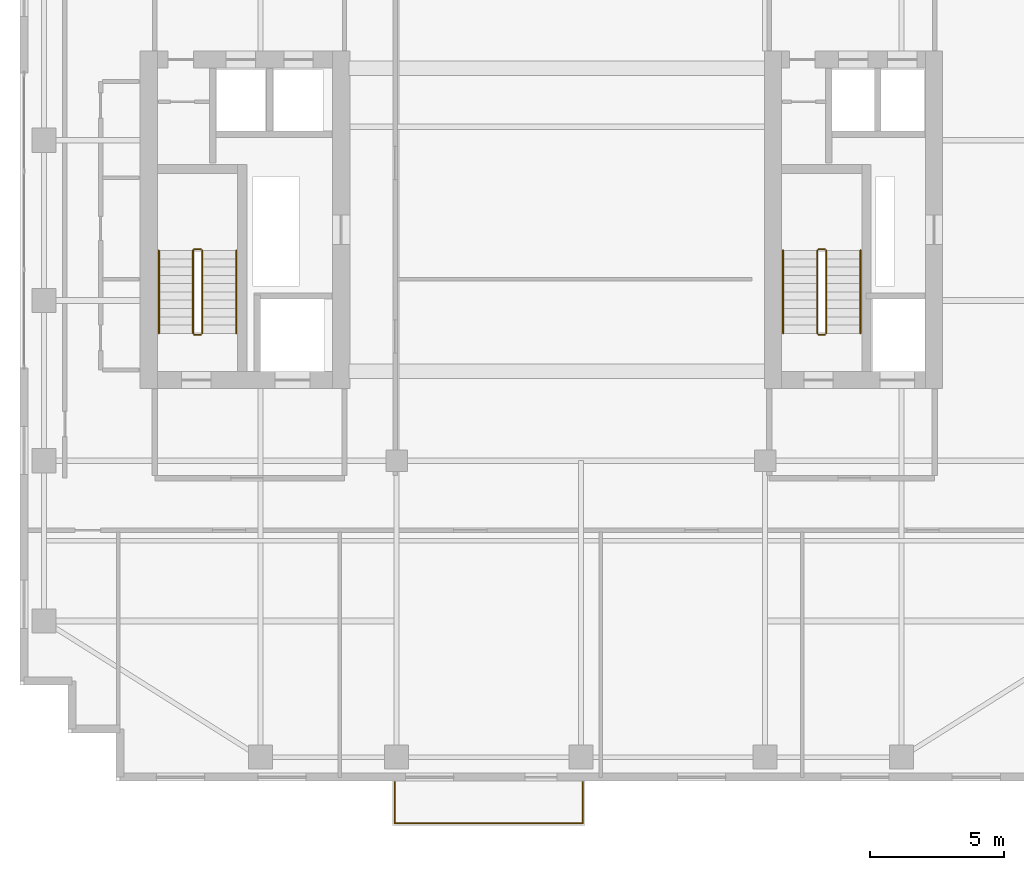
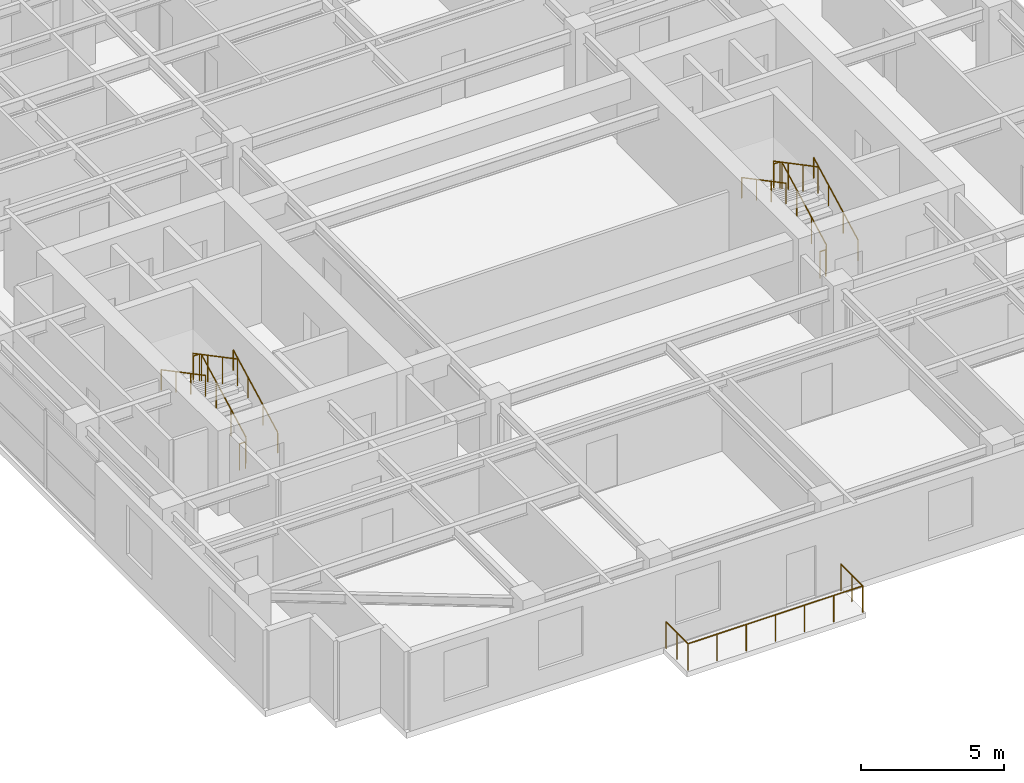
# One storey, part 13 of 14: 13 railings.
"""IFC4 building model written with IfcOpenShell, lengths in metres."""

from ifc_helpers import new_model, si_unit, direction, frame, origin, origin_2d, place, context, subcontext, project, spatial, circle, extrude, material, type_object, element, save


model = new_model("IFC4")

# Units and contexts
model_context = context("Model", 3, precision=1e-05, world=origin(), true_north=direction((0.0, 1.0)))
body_context = subcontext(model_context, "Body", "Model", "MODEL_VIEW")
ifc_project = project(units=[si_unit("LENGTHUNIT", "METRE"), si_unit("AREAUNIT", "SQUARE_METRE"), si_unit("VOLUMEUNIT", "CUBIC_METRE"), si_unit("PLANEANGLEUNIT", "RADIAN"), si_unit("MASSUNIT", "GRAM", prefix="KILO")], contexts=[model_context])

# Site, building, storey
site_placement = place(None, origin())
site = spatial("IfcSite", under=ifc_project, at=site_placement, CompositionType="ELEMENT")
building_placement = place(site_placement, origin())
building = spatial("IfcBuilding", under=site, at=building_placement, Name="Khoralis Quay Care Tower", CompositionType="ELEMENT")
storey_placement = place(building_placement, frame((0.0, 0.0, 177.300048828125)))
storey = spatial("IfcBuildingStorey", under=building, at=storey_placement, Name="L46", CompositionType="ELEMENT", Elevation=177.300048828125)

# Railings
ifc_material_1 = material(Name="Pale anodised aluminium", Category="aluminium")
railing_type_1 = type_object("IfcRailingType", Name="RL-BALUST-1150", PredefinedType="BALUSTRADE", material=ifc_material_1)
railing_1_placement = place(storey_placement, frame((17.030029296875, -0.0400390625, -0.0400390625)))
element("IfcRailing", 1, at=railing_1_placement, inside=storey, type_object=railing_type_1, Name="L46 Senior Loggia Balcony Guard", PredefinedType="BALUSTRADE", context=body_context, shape_type="SweptSolid", body=[
    extrude(circle(Radius=0.02392578125, at=origin_2d()), frame((0.0, 0.0, 1.1259765625), z_axis=(0.0, -1.0, 0.0), x_axis=(1.0, 0.0, 0.0)), (0.0, 0.0, 1.0), 1.530029296875),
    extrude(circle(Radius=0.02392578125, at=origin_2d()), frame((0.0, -1.530029296875, 1.1259765625), z_axis=(1.0, 0.0, 0.0), x_axis=(0.0, 1.0, 0.0)), (0.0, 0.0, 1.0), 7.0400390625),
    extrude(circle(Radius=0.02392578125, at=origin_2d()), frame((7.0400390625, -1.530029296875, 1.1259765625), z_axis=(0.0, 1.0, 0.0), x_axis=(-1.0, 0.0, 0.0)), (0.0, 0.0, 1.0), 1.530029296875),
    extrude(circle(Radius=0.02099609375, at=origin_2d()), origin(), (0.0, 0.0, 1.0), 1.101806640625),
    extrude(circle(Radius=0.02099609375, at=origin_2d()), frame((0.0, -0.76513671875, 0.0)), (0.0, 0.0, 1.0), 1.101806640625),
    extrude(circle(Radius=0.02099609375, at=origin_2d()), frame((0.0, -1.530029296875, 0.0)), (0.0, 0.0, 1.0), 1.101806640625),
    extrude(circle(Radius=0.02099609375, at=origin_2d()), frame((1.17333984375, -1.530029296875, 0.0)), (0.0, 0.0, 1.0), 1.101806640625),
    extrude(circle(Radius=0.02099609375, at=origin_2d()), frame((2.3466796875, -1.530029296875, 0.0)), (0.0, 0.0, 1.0), 1.101806640625),
    extrude(circle(Radius=0.02099609375, at=origin_2d()), frame((3.52001953125, -1.530029296875, 0.0)), (0.0, 0.0, 1.0), 1.101806640625),
    extrude(circle(Radius=0.02099609375, at=origin_2d()), frame((4.693359375, -1.530029296875, 0.0)), (0.0, 0.0, 1.0), 1.101806640625),
    extrude(circle(Radius=0.02099609375, at=origin_2d()), frame((5.86669921875, -1.530029296875, 0.0)), (0.0, 0.0, 1.0), 1.101806640625),
    extrude(circle(Radius=0.02099609375, at=origin_2d()), frame((7.0400390625, -1.530029296875, 0.0)), (0.0, 0.0, 1.0), 1.101806640625),
    extrude(circle(Radius=0.02099609375, at=origin_2d()), frame((7.0400390625, -0.76513671875, 0.0)), (0.0, 0.0, 1.0), 1.101806640625),
    extrude(circle(Radius=0.02099609375, at=origin_2d()), frame((7.0400390625, 0.0, 0.0)), (0.0, 0.0, 1.0), 1.101806640625),
])
ifc_material_2 = material(Name="Brushed stainless steel", Category="steel")
railing_type_2 = type_object("IfcRailingType", Name="RL-GUARD-1150", PredefinedType="GUARDRAIL", material=ifc_material_2)
railing_2_placement = place(storey_placement, frame((9.820068359375, 16.77001953125, 0.16357421875)))
element("IfcRailing", 2, at=railing_2_placement, inside=storey, type_object=railing_type_2, Name="L46 ST-T1 stair guard 1", PredefinedType="GUARDRAIL", context=body_context, shape_type="SweptSolid", body=[
    extrude(circle(Radius=0.02392578125, at=origin_2d()), frame((0.0, 0.0, 1.1259765625), z_axis=(0.0, 0.884348015382, 0.466828220752), x_axis=(-1.0, 0.0, 0.0)), (0.0, 0.0, 1.0), 3.505615234375),
    extrude(circle(Radius=0.02099609375, at=origin_2d()), origin(), (0.0, 0.0, 1.0), 1.101806640625),
    extrude(circle(Radius=0.02099609375, at=origin_2d()), frame((0.0, 1.033447265625, 0.54541015625)), (0.0, 0.0, 1.0), 1.101806640625),
    extrude(circle(Radius=0.02099609375, at=origin_2d()), frame((0.0, 2.066650390625, 1.091064453125)), (0.0, 0.0, 1.0), 1.101806640625),
    extrude(circle(Radius=0.02099609375, at=origin_2d()), frame((0.0, 3.10009765625, 1.636474609375)), (0.0, 0.0, 1.0), 1.101806640625),
])
railing_3_placement = place(storey_placement, frame((9.77001953125, 19.919921875, 1.800048828125)))
element("IfcRailing", 3, at=railing_3_placement, inside=storey, type_object=railing_type_2, Name="L46 ST-T1 stair guard 2", PredefinedType="GUARDRAIL", context=body_context, shape_type="SweptSolid", body=[
    extrude(circle(Radius=0.02392578125, at=origin_2d()), frame((0.0, 0.0, 1.1259765625), z_axis=(-1.0, 0.0, 0.0), x_axis=(0.0, -1.0, 0.0)), (0.0, 0.0, 1.0), 0.239990234375),
    extrude(circle(Radius=0.02099609375, at=origin_2d()), origin(), (0.0, 0.0, 1.0), 1.101806640625),
    extrude(circle(Radius=0.02099609375, at=origin_2d()), frame((-0.239990234375, 0.0, 0.0)), (0.0, 0.0, 1.0), 1.101806640625),
])
railing_4_placement = place(storey_placement, frame((9.47998046875, 19.8701171875, 1.963623046875)))
element("IfcRailing", 4, at=railing_4_placement, inside=storey, type_object=railing_type_2, Name="L46 ST-T1 stair guard 3", PredefinedType="GUARDRAIL", context=body_context, shape_type="SweptSolid", body=[
    extrude(circle(Radius=0.02392578125, at=origin_2d()), frame((0.0, 0.0, 1.1259765625), z_axis=(0.0, -0.884376766648, 0.46677375099), x_axis=(1.0, 0.0, 0.0)), (0.0, 0.0, 1.0), 3.50537109375),
    extrude(circle(Radius=0.02099609375, at=origin_2d()), origin(), (0.0, 0.0, 1.0), 1.101806640625),
    extrude(circle(Radius=0.02099609375, at=origin_2d()), frame((0.0, -1.033447265625, 0.54541015625)), (0.0, 0.0, 1.0), 1.101806640625),
    extrude(circle(Radius=0.02099609375, at=origin_2d()), frame((0.0, -2.066650390625, 1.0908203125)), (0.0, 0.0, 1.0), 1.101806640625),
    extrude(circle(Radius=0.02099609375, at=origin_2d()), frame((0.0, -3.10009765625, 1.63623046875)), (0.0, 0.0, 1.0), 1.101806640625),
])
railing_5_placement = place(storey_placement, frame((9.77001953125, 16.719970703125, 0.0)))
element("IfcRailing", 5, at=railing_5_placement, inside=storey, type_object=railing_type_2, Name="L46 ST-T1 stair guard 4", PredefinedType="GUARDRAIL", context=body_context, shape_type="SweptSolid", body=[
    extrude(circle(Radius=0.02392578125, at=origin_2d()), frame((0.0, 0.0, 1.1259765625), z_axis=(-1.0, 0.0, 0.0), x_axis=(0.0, -1.0, 0.0)), (0.0, 0.0, 1.0), 0.239990234375),
    extrude(circle(Radius=0.02099609375, at=origin_2d()), origin(), (0.0, 0.0, 1.0), 1.101806640625),
    extrude(circle(Radius=0.02099609375, at=origin_2d()), frame((-0.239990234375, 0.0, 0.0)), (0.0, 0.0, 1.0), 1.101806640625),
])
railing_6_placement = place(storey_placement, frame((33.18994140625, 16.77001953125, 0.16357421875)))
element("IfcRailing", 6, at=railing_6_placement, inside=storey, type_object=railing_type_2, Name="L46 ST-T2 stair guard 1", PredefinedType="GUARDRAIL", context=body_context, shape_type="SweptSolid", body=[
    extrude(circle(Radius=0.02392578125, at=origin_2d()), frame((0.0, 0.0, 1.1259765625), z_axis=(0.0, 0.884348015382, 0.466828220752), x_axis=(-1.0, 0.0, 0.0)), (0.0, 0.0, 1.0), 3.505615234375),
    extrude(circle(Radius=0.02099609375, at=origin_2d()), origin(), (0.0, 0.0, 1.0), 1.101806640625),
    extrude(circle(Radius=0.02099609375, at=origin_2d()), frame((0.0, 1.033447265625, 0.54541015625)), (0.0, 0.0, 1.0), 1.101806640625),
    extrude(circle(Radius=0.02099609375, at=origin_2d()), frame((0.0, 2.066650390625, 1.091064453125)), (0.0, 0.0, 1.0), 1.101806640625),
    extrude(circle(Radius=0.02099609375, at=origin_2d()), frame((0.0, 3.10009765625, 1.636474609375)), (0.0, 0.0, 1.0), 1.101806640625),
])
railing_7_placement = place(storey_placement, frame((33.139892578125, 19.919921875, 1.800048828125)))
element("IfcRailing", 7, at=railing_7_placement, inside=storey, type_object=railing_type_2, Name="L46 ST-T2 stair guard 2", PredefinedType="GUARDRAIL", context=body_context, shape_type="SweptSolid", body=[
    extrude(circle(Radius=0.02392578125, at=origin_2d()), frame((0.0, 0.0, 1.1259765625), z_axis=(-1.0, 0.0, 0.0), x_axis=(0.0, -1.0, 0.0)), (0.0, 0.0, 1.0), 0.239990234375),
    extrude(circle(Radius=0.02099609375, at=origin_2d()), origin(), (0.0, 0.0, 1.0), 1.101806640625),
    extrude(circle(Radius=0.02099609375, at=origin_2d()), frame((-0.239990234375, 0.0, 0.0)), (0.0, 0.0, 1.0), 1.101806640625),
])
railing_8_placement = place(storey_placement, frame((32.85009765625, 19.8701171875, 1.963623046875)))
element("IfcRailing", 8, at=railing_8_placement, inside=storey, type_object=railing_type_2, Name="L46 ST-T2 stair guard 3", PredefinedType="GUARDRAIL", context=body_context, shape_type="SweptSolid", body=[
    extrude(circle(Radius=0.02392578125, at=origin_2d()), frame((0.0, 0.0, 1.1259765625), z_axis=(0.0, -0.884376766648, 0.46677375099), x_axis=(1.0, 0.0, 0.0)), (0.0, 0.0, 1.0), 3.50537109375),
    extrude(circle(Radius=0.02099609375, at=origin_2d()), origin(), (0.0, 0.0, 1.0), 1.101806640625),
    extrude(circle(Radius=0.02099609375, at=origin_2d()), frame((0.0, -1.033447265625, 0.54541015625)), (0.0, 0.0, 1.0), 1.101806640625),
    extrude(circle(Radius=0.02099609375, at=origin_2d()), frame((0.0, -2.066650390625, 1.0908203125)), (0.0, 0.0, 1.0), 1.101806640625),
    extrude(circle(Radius=0.02099609375, at=origin_2d()), frame((0.0, -3.10009765625, 1.63623046875)), (0.0, 0.0, 1.0), 1.101806640625),
])
railing_9_placement = place(storey_placement, frame((33.139892578125, 16.719970703125, 0.0)))
element("IfcRailing", 9, at=railing_9_placement, inside=storey, type_object=railing_type_2, Name="L46 ST-T2 stair guard 4", PredefinedType="GUARDRAIL", context=body_context, shape_type="SweptSolid", body=[
    extrude(circle(Radius=0.02392578125, at=origin_2d()), frame((0.0, 0.0, 1.1259765625), z_axis=(-1.0, 0.0, 0.0), x_axis=(0.0, -1.0, 0.0)), (0.0, 0.0, 1.0), 0.239990234375),
    extrude(circle(Radius=0.02099609375, at=origin_2d()), origin(), (0.0, 0.0, 1.0), 1.101806640625),
    extrude(circle(Radius=0.02099609375, at=origin_2d()), frame((-0.239990234375, 0.0, 0.0)), (0.0, 0.0, 1.0), 1.101806640625),
])
railing_type_3 = type_object("IfcRailingType", Name="RL-HAND-900", PredefinedType="HANDRAIL", material=ifc_material_2)
railing_10_placement = place(storey_placement, frame((11.10009765625, 16.77001953125, 0.16357421875)))
element("IfcRailing", 10, at=railing_10_placement, inside=storey, type_object=railing_type_3, Name="L46 ST-T1 stair handrail 1", PredefinedType="HANDRAIL", context=body_context, shape_type="SweptSolid", body=[
    extrude(circle(Radius=0.02392578125, at=origin_2d()), frame((0.0, 0.0, 0.8759765625), z_axis=(0.0, 0.884348015382, 0.466828220752), x_axis=(-1.0, 0.0, 0.0)), (0.0, 0.0, 1.0), 3.505615234375),
    extrude(circle(Radius=0.02099609375, at=origin_2d()), origin(), (0.0, 0.0, 1.0), 0.851806640625),
    extrude(circle(Radius=0.02099609375, at=origin_2d()), frame((0.0, 1.033447265625, 0.54541015625)), (0.0, 0.0, 1.0), 0.851806640625),
    extrude(circle(Radius=0.02099609375, at=origin_2d()), frame((0.0, 2.066650390625, 1.091064453125)), (0.0, 0.0, 1.0), 0.851806640625),
    extrude(circle(Radius=0.02099609375, at=origin_2d()), frame((0.0, 3.10009765625, 1.636474609375)), (0.0, 0.0, 1.0), 0.851806640625),
])
railing_11_placement = place(storey_placement, frame((8.199951171875, 19.8701171875, 1.963623046875)))
element("IfcRailing", 11, at=railing_11_placement, inside=storey, type_object=railing_type_3, Name="L46 ST-T1 stair handrail 2", PredefinedType="HANDRAIL", context=body_context, shape_type="SweptSolid", body=[
    extrude(circle(Radius=0.02392578125, at=origin_2d()), frame((0.0, 0.0, 0.8759765625), z_axis=(0.0, -0.884376766648, 0.46677375099), x_axis=(1.0, 0.0, 0.0)), (0.0, 0.0, 1.0), 3.50537109375),
    extrude(circle(Radius=0.02099609375, at=origin_2d()), origin(), (0.0, 0.0, 1.0), 0.851806640625),
    extrude(circle(Radius=0.02099609375, at=origin_2d()), frame((0.0, -1.033447265625, 0.54541015625)), (0.0, 0.0, 1.0), 0.851806640625),
    extrude(circle(Radius=0.02099609375, at=origin_2d()), frame((0.0, -2.066650390625, 1.0908203125)), (0.0, 0.0, 1.0), 0.851806640625),
    extrude(circle(Radius=0.02099609375, at=origin_2d()), frame((0.0, -3.10009765625, 1.63623046875)), (0.0, 0.0, 1.0), 0.851806640625),
])
railing_12_placement = place(storey_placement, frame((34.469970703125, 16.77001953125, 0.16357421875)))
element("IfcRailing", 12, at=railing_12_placement, inside=storey, type_object=railing_type_3, Name="L46 ST-T2 stair handrail 1", PredefinedType="HANDRAIL", context=body_context, shape_type="SweptSolid", body=[
    extrude(circle(Radius=0.02392578125, at=origin_2d()), frame((0.0, 0.0, 0.8759765625), z_axis=(0.0, 0.884348015382, 0.466828220752), x_axis=(-1.0, 0.0, 0.0)), (0.0, 0.0, 1.0), 3.505615234375),
    extrude(circle(Radius=0.02099609375, at=origin_2d()), origin(), (0.0, 0.0, 1.0), 0.851806640625),
    extrude(circle(Radius=0.02099609375, at=origin_2d()), frame((0.0, 1.033447265625, 0.54541015625)), (0.0, 0.0, 1.0), 0.851806640625),
    extrude(circle(Radius=0.02099609375, at=origin_2d()), frame((0.0, 2.066650390625, 1.091064453125)), (0.0, 0.0, 1.0), 0.851806640625),
    extrude(circle(Radius=0.02099609375, at=origin_2d()), frame((0.0, 3.10009765625, 1.636474609375)), (0.0, 0.0, 1.0), 0.851806640625),
])
railing_13_placement = place(storey_placement, frame((31.570068359375, 19.8701171875, 1.963623046875)))
element("IfcRailing", 13, at=railing_13_placement, inside=storey, type_object=railing_type_3, Name="L46 ST-T2 stair handrail 2", PredefinedType="HANDRAIL", context=body_context, shape_type="SweptSolid", body=[
    extrude(circle(Radius=0.02392578125, at=origin_2d()), frame((0.0, 0.0, 0.8759765625), z_axis=(0.0, -0.884376766648, 0.46677375099), x_axis=(1.0, 0.0, 0.0)), (0.0, 0.0, 1.0), 3.50537109375),
    extrude(circle(Radius=0.02099609375, at=origin_2d()), origin(), (0.0, 0.0, 1.0), 0.851806640625),
    extrude(circle(Radius=0.02099609375, at=origin_2d()), frame((0.0, -1.033447265625, 0.54541015625)), (0.0, 0.0, 1.0), 0.851806640625),
    extrude(circle(Radius=0.02099609375, at=origin_2d()), frame((0.0, -2.066650390625, 1.0908203125)), (0.0, 0.0, 1.0), 0.851806640625),
    extrude(circle(Radius=0.02099609375, at=origin_2d()), frame((0.0, -3.10009765625, 1.63623046875)), (0.0, 0.0, 1.0), 0.851806640625),
])

save(model, "model.ifc")
